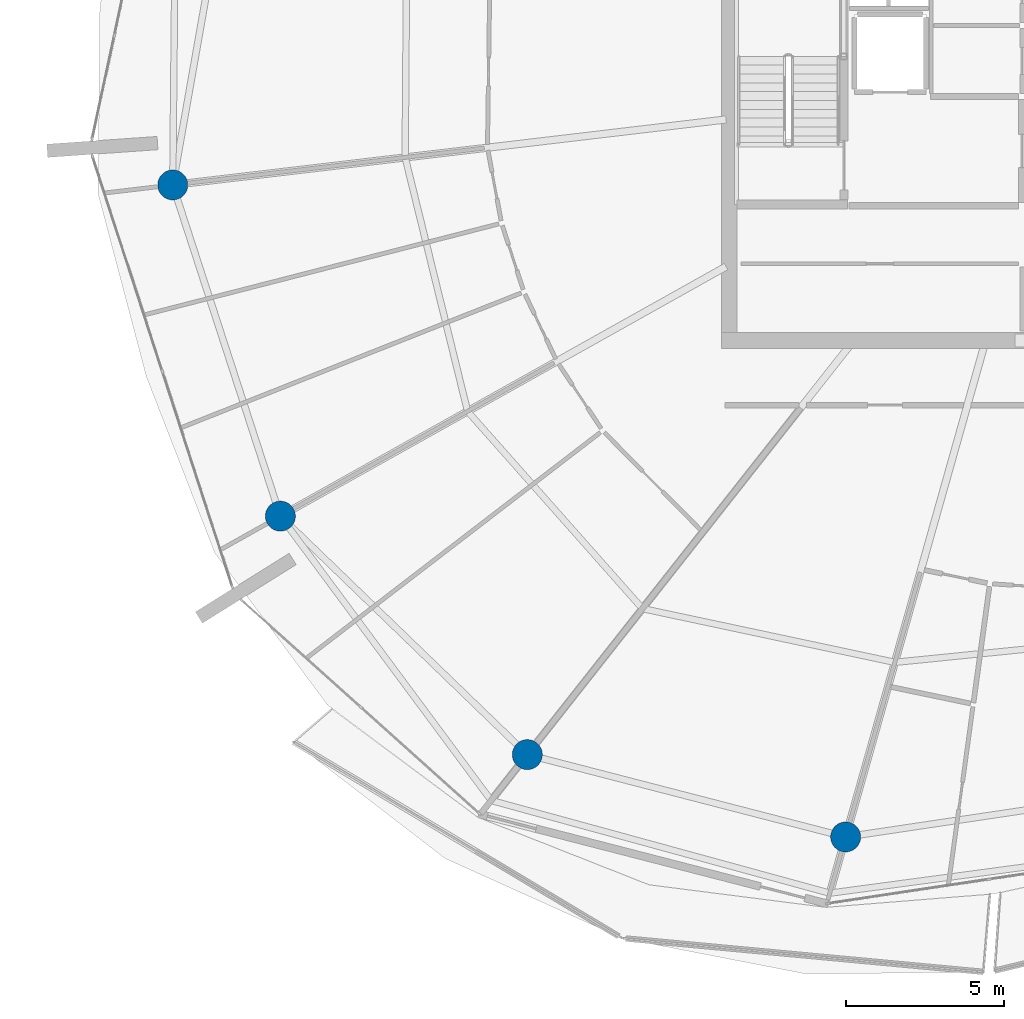
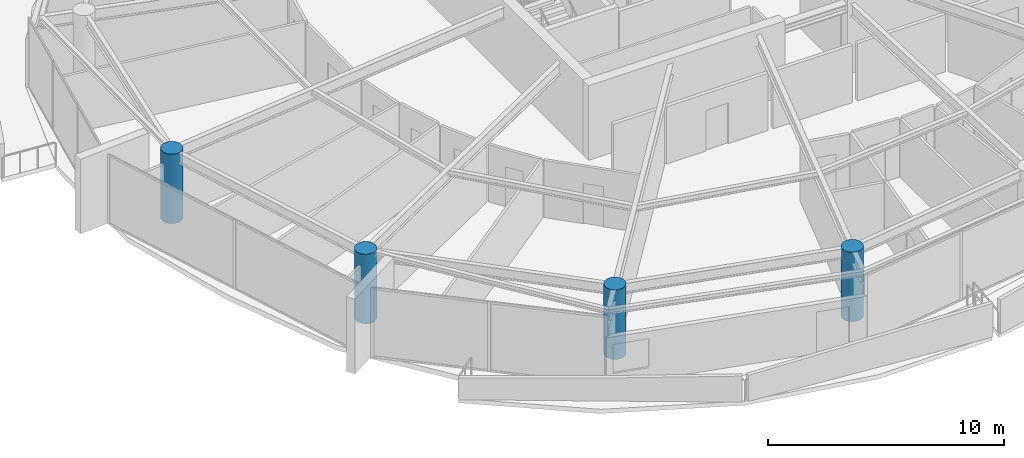
# One storey, part 1 of 30: 4 columns.
"""IFC4 building model written with IfcOpenShell, lengths in metres."""

from ifc_helpers import new_model, si_unit, direction, frame, origin, origin_2d, place, context, subcontext, project, spatial, circle, extrude, material, material_profile, profile_set, type_object, element, save


model = new_model("IFC4")

# Units and contexts
model_context = context("Model", 3, precision=1e-05, world=origin(), true_north=direction((0.0, 1.0)))
body_context = subcontext(model_context, "Body", "Model", "MODEL_VIEW")
ifc_project = project(units=[si_unit("LENGTHUNIT", "METRE"), si_unit("AREAUNIT", "SQUARE_METRE"), si_unit("VOLUMEUNIT", "CUBIC_METRE"), si_unit("PLANEANGLEUNIT", "RADIAN"), si_unit("MASSUNIT", "GRAM", prefix="KILO")], contexts=[model_context])

# Site, building, storey
site_placement = place(None, origin())
site = spatial("IfcSite", under=ifc_project, at=site_placement, CompositionType="ELEMENT")
building_placement = place(site_placement, origin())
building = spatial("IfcBuilding", under=site, at=building_placement, Name="Kazma Halo Residences", CompositionType="ELEMENT")
storey_placement = place(building_placement, frame((0.0, 0.0, 294.449951171875)))
storey = spatial("IfcBuildingStorey", under=building, at=storey_placement, Name="L74", CompositionType="ELEMENT", Elevation=294.449951171875)

# Columns
ifc_material = material(Name="Concrete C60/75", Category="concrete")
ifc_material_profile = material_profile(ifc_material, circle(Radius=0.47509765625, at=origin_2d()), Name="CIRC950")
ifc_profile_set = profile_set([ifc_material_profile], Name="Concrete C60/75")
column_type = type_object("IfcColumnType", Name="COL-PERIM-950", PredefinedType="COLUMN", material=ifc_profile_set)
for number, where, z_axis, x_axis, name in (
    (1, (19.92041015625, 38.676513671875, 0.0), (0.0, 0.0, 1.0), (1.0, 0.0, 0.0), "L74 perimeter ring column P08"),
    (2, (23.32958984375, 28.18408203125, 0.0), (0.0, 0.0, 1.0), (1.0, 0.0, 0.0), "L74 perimeter ring column P09"),
    (3, (31.15283203125, 20.62939453125, 0.0), (0.0, 0.0, 1.0), (1.0, 0.0, 0.0), "L74 perimeter ring column P10"),
    (4, (41.237060546875, 18.0205078125, 0.0), (0.0, 0.0, 1.0), (1.0, 0.0, 0.0), "L74 perimeter ring column P11"),
):
    element("IfcColumn", number, at=place(storey_placement, frame(where, z_axis=z_axis, x_axis=x_axis)), inside=storey, type_object=column_type, Name=name, PredefinedType="COLUMN", context=body_context, shape_type="SweptSolid", body=[
        extrude(circle(Radius=0.47509765625, at=origin_2d()), origin(), (0.0, 0.0, 1.0), 3.590087890625),
    ])

save(model, "model.ifc")
